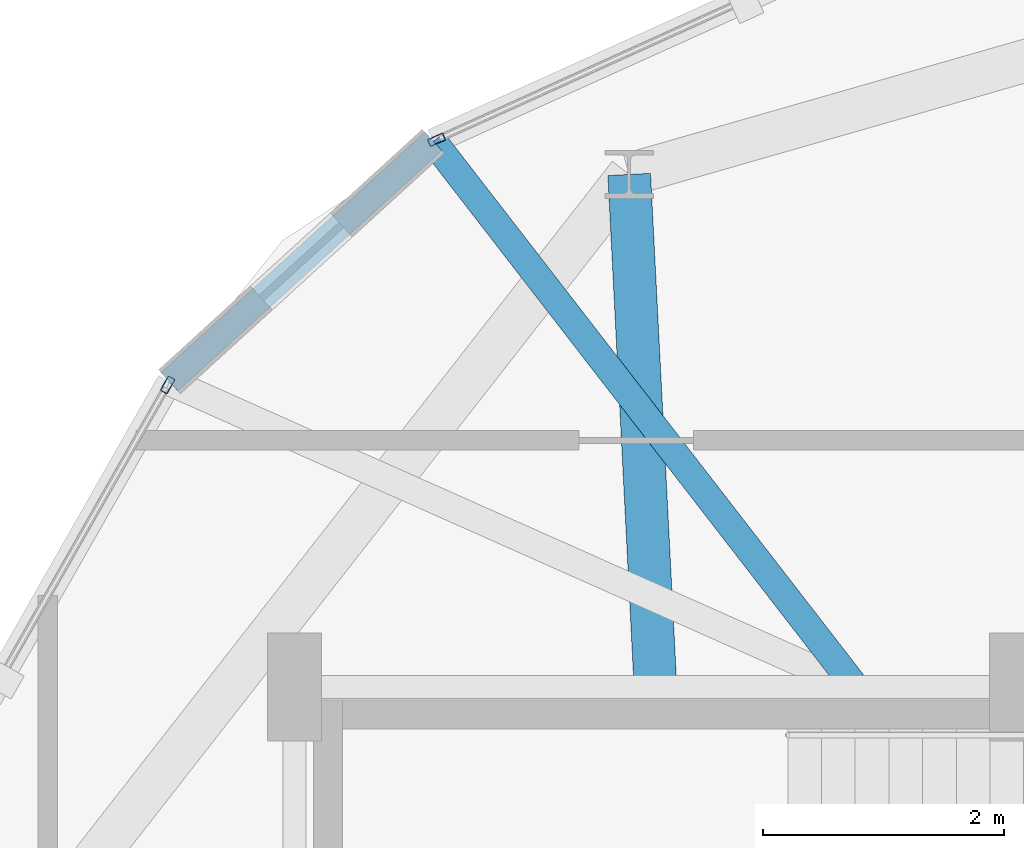
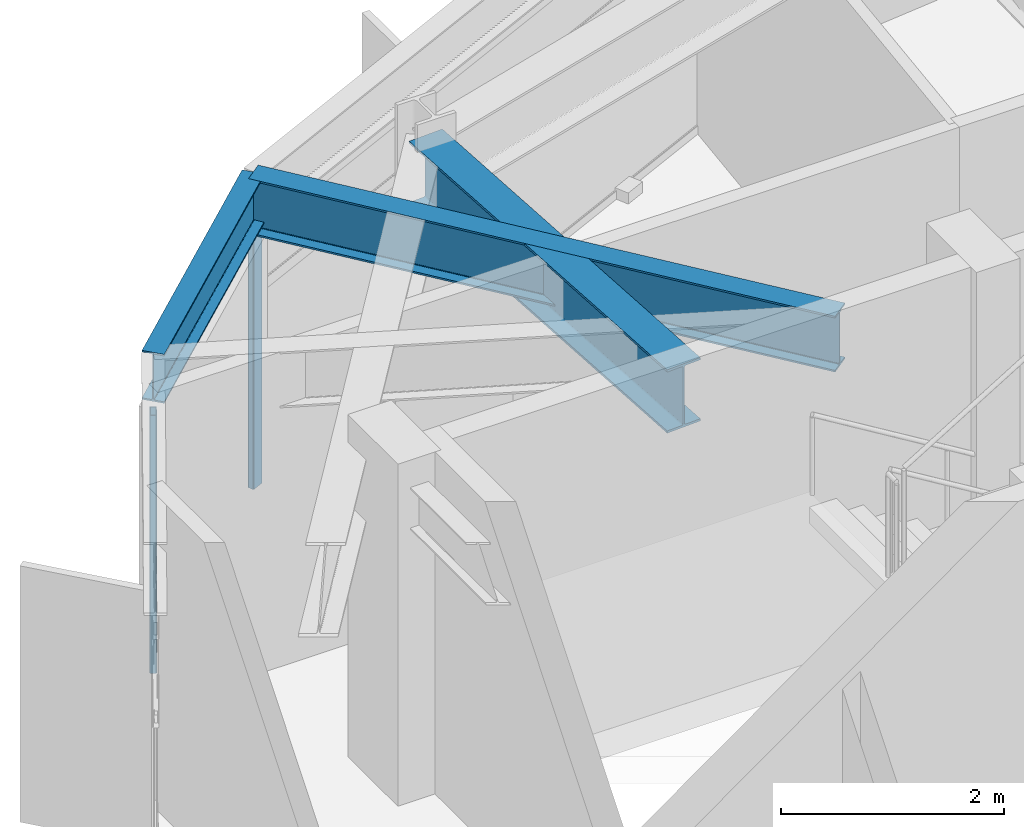
# One storey, part 13 of 23: 3 beams, 2 members, 2 elements without a shape of their own.
"""IFC4 building model written with IfcOpenShell, lengths in metres."""

from ifc_helpers import new_model, si_unit, direction, frame, origin, origin_2d, place, context, subcontext, project, spatial, hollow_rectangle, i_section, extrude, material, layer, layer_set, material_profile, profile_set, type_object, element, aggregate, save


model = new_model("IFC4")

# Units and contexts
model_context = context("Model", 3, precision=1e-05, world=origin(), true_north=direction((0.0, 1.0)))
body_context = subcontext(model_context, "Body", "Model", "MODEL_VIEW")
ifc_project = project(units=[si_unit("LENGTHUNIT", "METRE"), si_unit("AREAUNIT", "SQUARE_METRE"), si_unit("VOLUMEUNIT", "CUBIC_METRE"), si_unit("PLANEANGLEUNIT", "RADIAN"), si_unit("MASSUNIT", "GRAM", prefix="KILO")], contexts=[model_context])

# Site, building, storey
site_placement = place(None, origin())
site = spatial("IfcSite", under=ifc_project, at=site_placement, CompositionType="ELEMENT")
building_placement = place(site_placement, origin())
building = spatial("IfcBuilding", under=site, at=building_placement, Name="Soratama Intermodal Tower", CompositionType="ELEMENT")
storey_placement = place(building_placement, frame((0.0, 0.0, 257.5)))
storey = spatial("IfcBuildingStorey", under=building, at=storey_placement, Name="L65", CompositionType="ELEMENT", Elevation=257.5)

# Beams
ifc_material_1 = material(Name="Structural steel ASTM A992 Grade 50", Category="steel")
ifc_material_profile_1 = material_profile(ifc_material_1, i_section(OverallWidth=0.35498046875, OverallDepth=0.695068359375, WebThickness=0.015380859375, FlangeThickness=0.02490234375, FilletRadius=0.01611328125, at=origin_2d()), Name="W27X146")
ifc_profile_set_1 = profile_set([ifc_material_profile_1], Name="Structural steel ASTM A992 Grade 50")
beam_type_1 = type_object("IfcBeamType", Name="BM-RING-W27X146", PredefinedType="BEAM", material=ifc_profile_set_1)
beam_1_placement = place(storey_placement, frame((35.60009765625, 35.0, 3.1025390625), z_axis=(-0.051122516685, 0.998692389221, 0.0), x_axis=(-0.998692389221, -0.051122516685, 0.0)))
element("IfcBeam", 1, at=beam_1_placement, inside=storey, type_object=beam_type_1, Name="BM-L65-RAD-04", PredefinedType="BEAM", context=body_context, shape_type="SweptSolid", body=[
    extrude(i_section(OverallWidth=0.35498046875, OverallDepth=0.695068359375, WebThickness=0.015380859375, FlangeThickness=0.02490234375, FilletRadius=0.01611328125, at=origin_2d()), origin(), (0.0, 0.0, 1.0), 4.2646484375),
])
ifc_material_2 = material(Name="Structural steel ASTM A992 Grade 50", Category="steel")
ifc_material_profile_2 = material_profile(ifc_material_2, i_section(OverallWidth=0.2099609375, OverallDepth=0.537109375, WebThickness=0.010986328125, FlangeThickness=0.017333984375, FilletRadius=0.012939453125, at=origin_2d()), Name="W21X68")
ifc_profile_set_2 = profile_set([ifc_material_profile_2], Name="Structural steel ASTM A992 Grade 50")
beam_type_2 = type_object("IfcBeamType", Name="BM-SPN-W21X68", PredefinedType="SPANDREL", material=ifc_profile_set_2)
beam_2_placement = place(storey_placement, frame((33.75390625, 39.534912109375, 3.181396484375), z_axis=(-0.739016081891, -0.673687784294, 0.0), x_axis=(0.673687784294, -0.739016081891, 0.0)))
element("IfcBeam", 2, at=beam_2_placement, inside=storey, type_object=beam_type_2, Name="BS-L65-CRN02", PredefinedType="SPANDREL", context=body_context, shape_type="SweptSolid", body=[
    extrude(i_section(OverallWidth=0.2099609375, OverallDepth=0.537109375, WebThickness=0.010986328125, FlangeThickness=0.017333984375, FilletRadius=0.012939453125, at=origin_2d()), origin(), (0.0, 0.0, 1.0), 2.96728515625),
])
ifc_material_3 = material(Name="Structural steel ASTM A992 Grade 50", Category="steel")
ifc_material_profile_3 = material_profile(ifc_material_3, i_section(OverallWidth=0.22900390625, OverallDepth=0.612060546875, WebThickness=0.011962890625, FlangeThickness=0.01953125, FilletRadius=0.012939453125, at=origin_2d()), Name="W24X84")
ifc_profile_set_3 = profile_set([ifc_material_profile_3], Name="Structural steel ASTM A992 Grade 50")
beam_type_3 = type_object("IfcBeamType", Name="BM-TIE-W24X84", PredefinedType="BEAM", material=ifc_profile_set_3)
beam_3_placement = place(storey_placement, frame((37.238037109375, 35.031982421875, 3.14404296875), z_axis=(-0.611952627132, 0.790894419089, 0.0), x_axis=(-0.790894419089, -0.611952627132, 0.0)))
element("IfcBeam", 3, at=beam_3_placement, inside=storey, type_object=beam_type_3, Name="BM-L65-TIE1-02", PredefinedType="BEAM", context=body_context, shape_type="SweptSolid", body=[
    extrude(i_section(OverallWidth=0.22900390625, OverallDepth=0.612060546875, WebThickness=0.011962890625, FlangeThickness=0.01953125, FilletRadius=0.012939453125, at=origin_2d()), origin(), (0.0, 0.0, 1.0), 5.693359375),
])

# Curtain wall, member
ifc_material_4 = material(Name="Double-glazed aluminium curtain wall", Category="aluminium")
ifc_layer = layer(ifc_material_4, 0.159912109375)
ifc_layer_set = layer_set([ifc_layer], Name="Double-glazed aluminium curtain wall")
curtain_wall_type = type_object("IfcCurtainWallType", Name="CW-SYS-5", PredefinedType="NOTDEFINED", material=ifc_layer_set)
curtain_wall_1_placement = place(storey_placement, origin())
curtain_wall_1 = element("IfcCurtainWall", 4, at=curtain_wall_1_placement, inside=storey, type_object=curtain_wall_type, Name="L65 Faceted Curtain Wall F02", PredefinedType="NOTDEFINED")
ifc_material_5 = material(Name="Anodised aluminium AA 6063-T6", Category="aluminium")
ifc_material_profile_4 = material_profile(ifc_material_5, hollow_rectangle(XDim=0.06494140625, YDim=0.139892578125, WallThickness=0.0048828125, InnerFilletRadius=0.0048828125, OuterFilletRadius=0.010009765625, at=origin_2d()), Name="CWM140X65X5")
ifc_profile_set_4 = profile_set([ifc_material_profile_4], Name="Anodised aluminium AA 6063-T6")
member_type = type_object("IfcMemberType", Name="MT-CWM-5", PredefinedType="MULLION", material=ifc_profile_set_4)
member_1_placement = place(storey_placement, frame((33.781005859375, 39.54736328125, 0.0), z_axis=(0.0, 0.0, 1.0), x_axis=(0.412467579868, -0.910972280346, 0.0)))
member_1 = element("IfcMember", 5, at=member_1_placement, type_object=member_type, Name="CW-5 mullion 2", PredefinedType="MULLION", context=body_context, shape_type="SweptSolid", body=[
    extrude(hollow_rectangle(XDim=0.06494140625, YDim=0.139892578125, WallThickness=0.0048828125, InnerFilletRadius=0.0048828125, OuterFilletRadius=0.010009765625, at=origin_2d()), origin(), (0.0, 0.0, 1.0), 2.8291015625),
])
aggregate(curtain_wall_1, [member_1])

curtain_wall_2_placement = place(storey_placement, origin())
curtain_wall_2 = element("IfcCurtainWall", 6, at=curtain_wall_2_placement, inside=storey, type_object=curtain_wall_type, Name="L65 Faceted Curtain Wall F03", PredefinedType="NOTDEFINED")
member_2_placement = place(storey_placement, frame((31.546630859375, 37.51025390625, 0.0), z_axis=(0.0, 0.0, 1.0), x_axis=(0.869148137926, -0.494551831803, 0.0)))
member_2 = element("IfcMember", 7, at=member_2_placement, type_object=member_type, Name="CW-5 mullion 1", PredefinedType="MULLION", context=body_context, shape_type="SweptSolid", body=[
    extrude(hollow_rectangle(XDim=0.06494140625, YDim=0.139892578125, WallThickness=0.0048828125, InnerFilletRadius=0.0048828125, OuterFilletRadius=0.010009765625, at=origin_2d()), origin(), (0.0, 0.0, 1.0), 2.8291015625),
])
aggregate(curtain_wall_2, [member_2])

save(model, "model.ifc")
